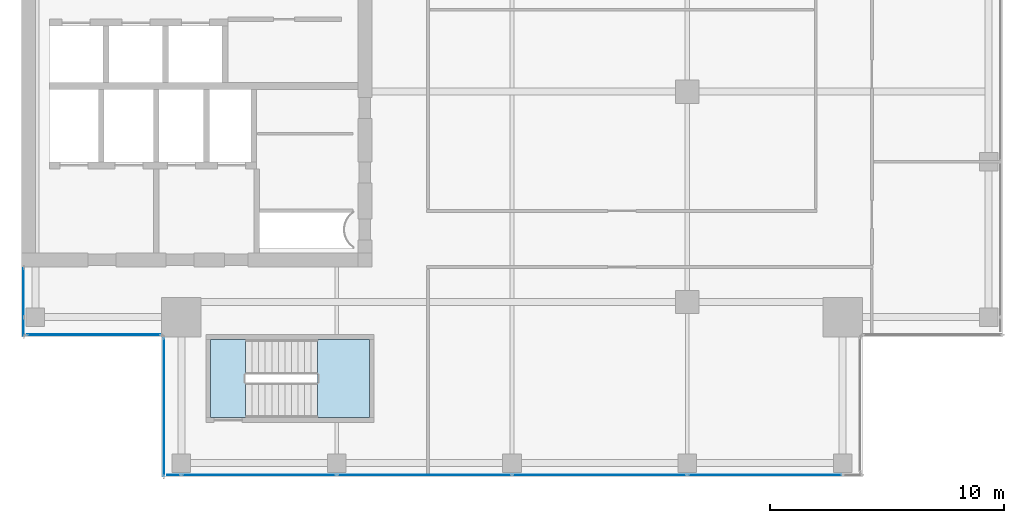
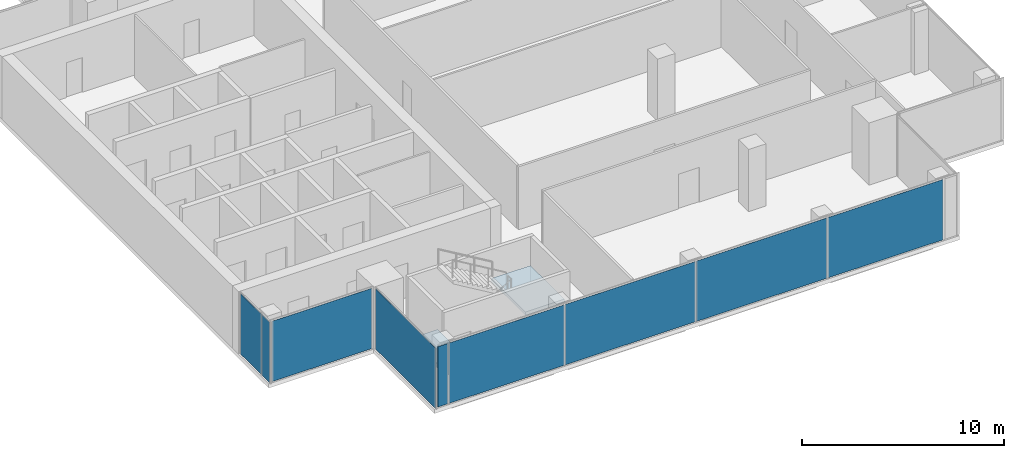
# One storey, part 20 of 29: 9 plates, 2 slabs, 5 elements without a shape of their own.
"""IFC4 building model written with IfcOpenShell, lengths in metres."""

from ifc_helpers import new_model, si_unit, direction, frame, origin, origin_2d, place, context, subcontext, project, spatial, polyline, rectangle, outline, extrude, source, transform, mapped, material, layer, layer_set, type_object, element, aggregate, save


model = new_model("IFC4")

# Units and contexts
model_context = context("Model", 3, precision=1e-05, world=origin(), true_north=direction((0.0, 1.0)))
body_context = subcontext(model_context, "Body", "Model", "MODEL_VIEW")
ifc_project = project(units=[si_unit("LENGTHUNIT", "METRE"), si_unit("AREAUNIT", "SQUARE_METRE"), si_unit("VOLUMEUNIT", "CUBIC_METRE"), si_unit("PLANEANGLEUNIT", "RADIAN"), si_unit("MASSUNIT", "GRAM", prefix="KILO")], contexts=[model_context])

# Site, building, storey
site_placement = place(None, origin())
site = spatial("IfcSite", under=ifc_project, at=site_placement, CompositionType="ELEMENT")
building_placement = place(site_placement, origin())
building = spatial("IfcBuilding", under=site, at=building_placement, Name="Khomas Fold Tower", CompositionType="ELEMENT")
storey_placement = place(building_placement, frame((0.0, 0.0, 310.199951171875)))
storey = spatial("IfcBuildingStorey", under=building, at=storey_placement, Name="L70", CompositionType="ELEMENT", Elevation=310.199951171875)

# Curtain wall, plates
ifc_material_1 = material(Name="Aluminium framed double glazing", Category="aluminium")
curtain_wall_type = type_object("IfcCurtainWallType", Name="SK-Unitised clear-glass wall, upper floors CW3", PredefinedType="NOTDEFINED", material=ifc_material_1)
curtain_wall_1_placement = place(storey_placement, origin())
curtain_wall_1 = element("IfcCurtainWall", 1, at=curtain_wall_1_placement, inside=storey, type_object=curtain_wall_type, Name="CW3 run L70 00-0", PredefinedType="NOTDEFINED")
ifc_material_2 = material(Name="Clear double glazed unit")
ifc_layer_1 = layer(ifc_material_2, 0.028076171875)
ifc_layer_set_1 = layer_set([ifc_layer_1], Name="Clear double glazed unit")
plate_type = type_object("IfcPlateType", Name="SK-Unitised clear-glass wall, upper floors glass panel CW3-P", PredefinedType="CURTAIN_PANEL", material=ifc_layer_set_1)
shared_shape_1 = source(origin(), body_context, "Body", "SweptSolid", [
    extrude(rectangle(XDim=0.574951171875, YDim=0.028076171875, at=origin_2d()), origin(), (0.0, 0.0, 1.0), 3.64990234375),
])
plate_1_placement = place(storey_placement, frame((12.53759765625, 6.10009765625, 0.0), z_axis=(0.0, 0.0, 1.0), x_axis=(1.0, 0.0, 0.0)))
plate_1 = element("IfcPlate", 2, at=plate_1_placement, type_object=plate_type, Name="CW3 glass panel 1", PredefinedType="CURTAIN_PANEL", context=body_context, shape_type="MappedRepresentation", body=[
    mapped(shared_shape_1, transform((0.0, 0.0, 0.0))),
])
shared_shape_2 = source(origin(), body_context, "Body", "SweptSolid", [
    extrude(rectangle(XDim=6.60009765625, YDim=0.028076171875, at=origin_2d()), origin(), (0.0, 0.0, 1.0), 3.64990234375),
])
plate_2_placement = place(storey_placement, frame((16.175048828125, 6.10009765625, 0.0), z_axis=(0.0, 0.0, 1.0), x_axis=(1.0, 0.0, 0.0)))
plate_2 = element("IfcPlate", 3, at=plate_2_placement, type_object=plate_type, Name="CW3 glass panel 2", PredefinedType="CURTAIN_PANEL", context=body_context, shape_type="MappedRepresentation", body=[
    mapped(shared_shape_2, transform((0.0, 0.0, 0.0))),
])
plate_3_placement = place(storey_placement, frame((37.824951171875, 6.10009765625, 0.0), z_axis=(0.0, 0.0, 1.0), x_axis=(1.0, 0.0, 0.0)))
plate_3 = element("IfcPlate", 4, at=plate_3_placement, type_object=plate_type, Name="CW3 glass panel 5", PredefinedType="CURTAIN_PANEL", context=body_context, shape_type="MappedRepresentation", body=[
    mapped(shared_shape_2, transform((0.0, 0.0, 0.0))),
])
shared_shape_3 = source(origin(), body_context, "Body", "SweptSolid", [
    extrude(rectangle(XDim=7.449951171875, YDim=0.028076171875, at=origin_2d()), origin(), (0.0, 0.0, 1.0), 3.64990234375),
])
plate_4_placement = place(storey_placement, frame((23.25, 6.10009765625, 0.0), z_axis=(0.0, 0.0, 1.0), x_axis=(1.0, 0.0, 0.0)))
plate_4 = element("IfcPlate", 5, at=plate_4_placement, type_object=plate_type, Name="CW3 glass panel 3", PredefinedType="CURTAIN_PANEL", context=body_context, shape_type="MappedRepresentation", body=[
    mapped(shared_shape_3, transform((0.0, 0.0, 0.0))),
])
plate_5_placement = place(storey_placement, frame((30.75, 6.10009765625, 0.0), z_axis=(0.0, 0.0, 1.0), x_axis=(1.0, 0.0, 0.0)))
plate_5 = element("IfcPlate", 6, at=plate_5_placement, type_object=plate_type, Name="CW3 glass panel 4", PredefinedType="CURTAIN_PANEL", context=body_context, shape_type="MappedRepresentation", body=[
    mapped(shared_shape_3, transform((0.0, 0.0, 0.0))),
])
aggregate(curtain_wall_1, [plate_1, plate_2, plate_4, plate_5, plate_3])

# Curtain wall, plate
curtain_wall_2_placement = place(storey_placement, origin())
curtain_wall_2 = element("IfcCurtainWall", 7, at=curtain_wall_2_placement, inside=storey, type_object=curtain_wall_type, Name="CW3 run L70 09-1", PredefinedType="NOTDEFINED")
shared_shape_4 = source(origin(), body_context, "Body", "SweptSolid", [
    extrude(rectangle(XDim=0.77490234375, YDim=0.028076171875, at=origin_2d()), origin(), (0.0, 0.0, 1.0), 3.64990234375),
])
plate_6_placement = place(storey_placement, frame((6.10009765625, 12.4375, 0.0), z_axis=(0.0, 0.0, 1.0), x_axis=(0.0, -1.0, 0.0)))
plate_6 = element("IfcPlate", 8, at=plate_6_placement, type_object=plate_type, Name="CW3 glass panel 2", PredefinedType="CURTAIN_PANEL", context=body_context, shape_type="MappedRepresentation", body=[
    mapped(shared_shape_4, transform((0.0, 0.0, 0.0))),
])

curtain_wall_3_placement = place(storey_placement, origin())
curtain_wall_3 = element("IfcCurtainWall", 9, at=curtain_wall_3_placement, inside=storey, type_object=curtain_wall_type, Name="CW3 corner return L70 10", PredefinedType="NOTDEFINED")
shared_shape_5 = source(origin(), body_context, "Body", "SweptSolid", [
    extrude(rectangle(XDim=5.699951171875, YDim=0.028076171875, at=origin_2d()), origin(), (0.0, 0.0, 1.0), 3.64990234375),
])
plate_7_placement = place(storey_placement, frame((9.10009765625, 12.10009765625, 0.0), z_axis=(0.0, 0.0, 1.0), x_axis=(1.0, 0.0, 0.0)))
plate_7 = element("IfcPlate", 10, at=plate_7_placement, type_object=plate_type, Name="CW3 glass panel 1", PredefinedType="CURTAIN_PANEL", context=body_context, shape_type="MappedRepresentation", body=[
    mapped(shared_shape_5, transform((0.0, 0.0, 0.0))),
])
aggregate(curtain_wall_3, [plate_7])

curtain_wall_4_placement = place(storey_placement, origin())
curtain_wall_4 = element("IfcCurtainWall", 11, at=curtain_wall_4_placement, inside=storey, type_object=curtain_wall_type, Name="CW3 corner return L70 11", PredefinedType="NOTDEFINED")
shared_shape_6 = source(origin(), body_context, "Body", "SweptSolid", [
    extrude(rectangle(XDim=5.89990234375, YDim=0.028076171875, at=origin_2d()), origin(), (0.0, 0.0, 1.0), 3.64990234375),
])
plate_8_placement = place(storey_placement, frame((12.10009765625, 9.0, 0.0), z_axis=(0.0, 0.0, 1.0), x_axis=(0.0, -1.0, 0.0)))
plate_8 = element("IfcPlate", 12, at=plate_8_placement, type_object=plate_type, Name="CW3 glass panel 1", PredefinedType="CURTAIN_PANEL", context=body_context, shape_type="MappedRepresentation", body=[
    mapped(shared_shape_6, transform((0.0, 0.0, 0.0))),
])
aggregate(curtain_wall_4, [plate_8])

# Plate
shared_shape_7 = source(origin(), body_context, "Body", "SweptSolid", [
    extrude(rectangle(XDim=2.074951171875, YDim=0.028076171875, at=origin_2d()), origin(), (0.0, 0.0, 1.0), 3.64990234375),
])
plate_9_placement = place(storey_placement, frame((6.10009765625, 13.91259765625, 0.0), z_axis=(0.0, 0.0, 1.0), x_axis=(0.0, -1.0, 0.0)))
plate_9 = element("IfcPlate", 13, at=plate_9_placement, type_object=plate_type, Name="CW3 glass panel 1", PredefinedType="CURTAIN_PANEL", context=body_context, shape_type="MappedRepresentation", body=[
    mapped(shared_shape_7, transform((0.0, 0.0, 0.0))),
])

aggregate(curtain_wall_2, [plate_9, plate_6])

# Stair, slab
ifc_material_3 = material(Name="Concrete C40/50", Category="concrete")
stair_type = type_object("IfcStairType", Name="Stair ST2", PredefinedType="HALF_TURN_STAIR", material=ifc_material_3)
stair_placement = place(storey_placement, origin())
stair = element("IfcStair", 14, at=stair_placement, inside=storey, type_object=stair_type, Name="L70 ST2", PredefinedType="HALF_TURN_STAIR")
ifc_material_4 = material(Name="Concrete C40/50", Category="concrete")
ifc_layer_2 = layer(ifc_material_4, 0.199951171875)
ifc_layer_set_2 = layer_set([ifc_layer_2], Name="Concrete C40/50")
slab_type_1 = type_object("IfcSlabType", Name="Stair landing 200", PredefinedType="LANDING", material=ifc_layer_set_2)
shared_shape_8 = source(origin(), body_context, "Body", "SweptSolid", [
    extrude(outline(polyline([(18.679931640625, 8.550048828125), (20.89990234375, 8.550048828125), (20.89990234375, 11.89990234375), (18.679931640625, 11.89990234375), (18.679931640625, 8.550048828125)])), origin(), (0.0, 0.0, 1.0), 0.199951171875),
])
slab_1_placement = place(storey_placement, frame((0.0, 0.0, 1.800048828125)))
slab_1 = element("IfcSlab", 15, at=slab_1_placement, type_object=slab_type_1, Name="ST2 landing 1", PredefinedType="LANDING", context=body_context, shape_type="MappedRepresentation", body=[
    mapped(shared_shape_8, transform((0.0, 0.0, 0.0))),
])
aggregate(stair, [slab_1])

# Slab
ifc_material_5 = material(Name="Concrete C40/50", Category="concrete")
ifc_layer_3 = layer(ifc_material_5, 0.25)
ifc_layer_set_3 = layer_set([ifc_layer_3], Name="Concrete C40/50")
slab_type_2 = type_object("IfcSlabType", Name="Stair floor landing 250", PredefinedType="LANDING", material=ifc_layer_set_3)
shared_shape_9 = source(origin(), body_context, "Body", "SweptSolid", [
    extrude(outline(polyline([(15.60009765625, 8.550048828125), (14.10009765625, 8.550048828125), (14.10009765625, 11.89990234375), (15.60009765625, 11.89990234375), (15.60009765625, 8.550048828125)])), origin(), (0.0, 0.0, 1.0), 0.25),
])
slab_2_placement = place(storey_placement, frame((0.0, 0.0, -0.25)))
element("IfcSlab", 16, at=slab_2_placement, inside=storey, type_object=slab_type_2, Name="ST2 floor landing", PredefinedType="LANDING", context=body_context, shape_type="MappedRepresentation", body=[
    mapped(shared_shape_9, transform((0.0, 0.0, 0.0))),
])

save(model, "model.ifc")
